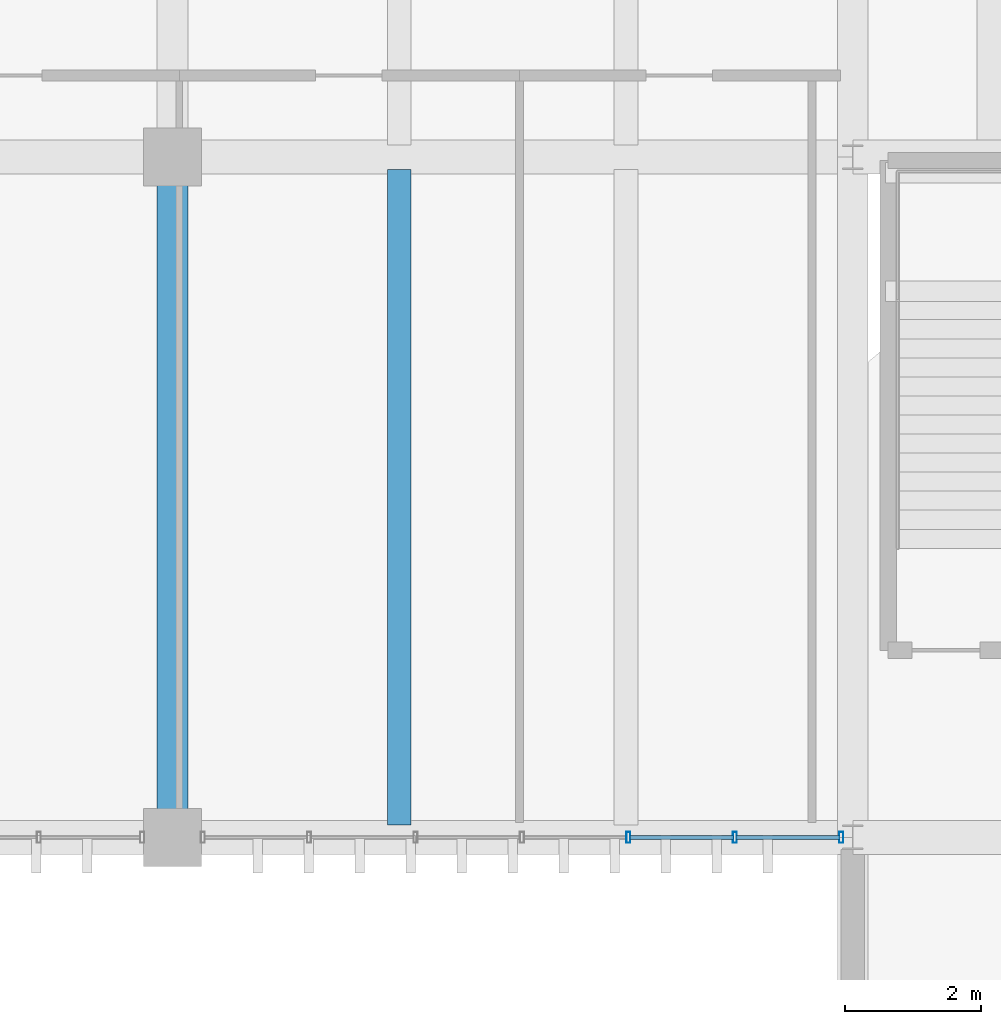
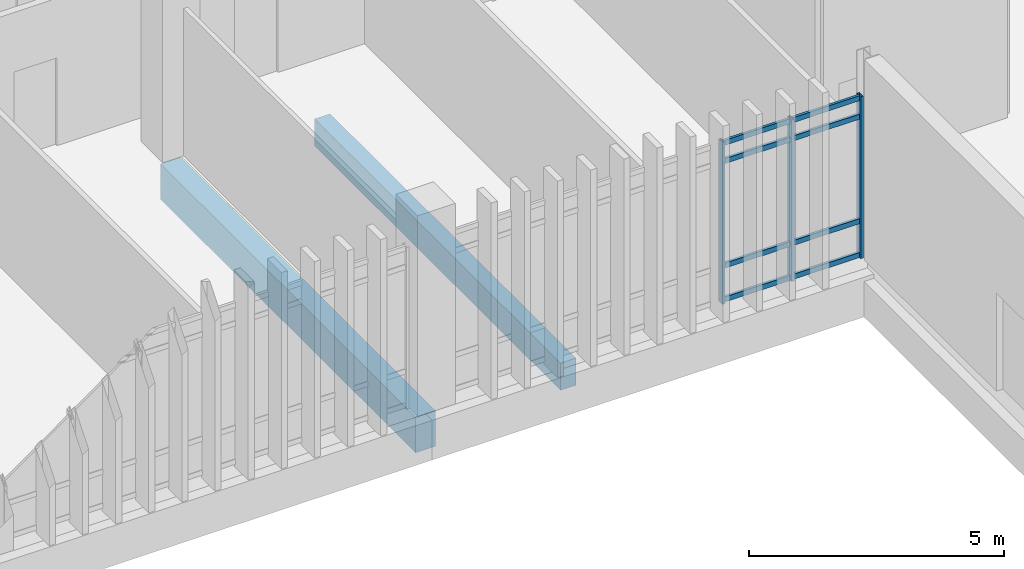
# One storey, part 47 of 87: 11 members, 2 beams, 1 element without a shape of its own.
"""IFC4 building model written with IfcOpenShell, lengths in metres."""

from ifc_helpers import new_model, si_unit, direction, frame, origin, origin_2d, place, context, subcontext, project, spatial, rectangle, hollow_rectangle, extrude, material, layer, layer_set, material_profile, profile_set, type_object, element, aggregate, save


model = new_model("IFC4")

# Units and contexts
model_context = context("Model", 3, precision=1e-05, world=origin(), true_north=direction((0.0, 1.0)))
body_context = subcontext(model_context, "Body", "Model", "MODEL_VIEW")
ifc_project = project(units=[si_unit("LENGTHUNIT", "METRE"), si_unit("AREAUNIT", "SQUARE_METRE"), si_unit("VOLUMEUNIT", "CUBIC_METRE"), si_unit("PLANEANGLEUNIT", "RADIAN"), si_unit("MASSUNIT", "GRAM", prefix="KILO")], contexts=[model_context])

# Site, building, storey
site_placement = place(None, origin())
site = spatial("IfcSite", under=ifc_project, at=site_placement, CompositionType="ELEMENT")
building_placement = place(site_placement, origin())
building = spatial("IfcBuilding", under=site, at=building_placement, Name="Mersad Railyard Sports Hall", CompositionType="ELEMENT")
storey_placement = place(building_placement, origin())
storey = spatial("IfcBuildingStorey", under=building, at=storey_placement, Name="L00", CompositionType="ELEMENT", Elevation=0.0)

# Curtain wall, members
ifc_material_1 = material(Name="Aluminium 6063-T6", Category="aluminium")
ifc_layer = layer(ifc_material_1, 0.159912109375)
ifc_layer_set = layer_set([ifc_layer], Name="Aluminium 6063-T6")
curtain_wall_type = type_object("IfcCurtainWallType", Name="ARC-CW-CW33", PredefinedType="USERDEFINED", material=ifc_layer_set)
curtain_wall_placement = place(storey_placement, origin())
curtain_wall = element("IfcCurtainWall", 1, at=curtain_wall_placement, inside=storey, type_object=curtain_wall_type, Name="Curtain wall CW33-0094", ObjectType="CURTAIN WALL", PredefinedType="USERDEFINED")
ifc_material_profile_1 = material_profile(ifc_material_1, hollow_rectangle(XDim=0.06005859375, YDim=0.159912109375, WallThickness=0.00390625, at=origin_2d()), Name="AL MULLION 60x160x4")
ifc_profile_set_1 = profile_set([ifc_material_profile_1], Name="Aluminium 6063-T6")
member_type_1 = type_object("IfcMemberType", Name="ARC-CW-MUL01", PredefinedType="MULLION", material=ifc_profile_set_1)
member_1_placement = place(storey_placement, frame((130.830078125, 85.0, -0.02001953125), z_axis=(0.0, 0.0, 1.0), x_axis=(1.0, 0.0, 0.0)))
member_1 = element("IfcMember", 2, at=member_1_placement, type_object=member_type_1, Name="CW33 Mullion 1", PredefinedType="MULLION", context=body_context, shape_type="SweptSolid", body=[
    extrude(hollow_rectangle(XDim=0.06005859375, YDim=0.159912109375, WallThickness=0.00390625, at=origin_2d()), origin(), (0.0, 0.0, 1.0), 3.8701171875),
])
member_2_placement = place(storey_placement, frame((129.265869140625, 85.0, -0.02001953125), z_axis=(0.0, 0.0, 1.0), x_axis=(1.0, 0.0, 0.0)))
member_2 = element("IfcMember", 3, at=member_2_placement, type_object=member_type_1, Name="CW33 Mullion 2", PredefinedType="MULLION", context=body_context, shape_type="SweptSolid", body=[
    extrude(hollow_rectangle(XDim=0.06005859375, YDim=0.159912109375, WallThickness=0.00390625, at=origin_2d()), origin(), (0.0, 0.0, 1.0), 3.8701171875),
])
member_3_placement = place(storey_placement, frame((127.70166015625, 85.0, -0.02001953125), z_axis=(0.0, 0.0, 1.0), x_axis=(1.0, 0.0, 0.0)))
member_3 = element("IfcMember", 4, at=member_3_placement, type_object=member_type_1, Name="CW33 Mullion 3", PredefinedType="MULLION", context=body_context, shape_type="SweptSolid", body=[
    extrude(hollow_rectangle(XDim=0.06005859375, YDim=0.159912109375, WallThickness=0.00390625, at=origin_2d()), origin(), (0.0, 0.0, 1.0), 3.8701171875),
])
ifc_material_profile_2 = material_profile(ifc_material_1, hollow_rectangle(XDim=0.06005859375, YDim=0.1201171875, WallThickness=0.00390625, at=origin_2d()), Name="AL TRANSOM 60x120x4")
ifc_profile_set_2 = profile_set([ifc_material_profile_2], Name="Aluminium 6063-T6")
member_type_2 = type_object("IfcMemberType", Name="ARC-CW-TRN01", PredefinedType="USERDEFINED", material=ifc_profile_set_2)
member_4_placement = place(storey_placement, frame((130.81005859375, 85.0, 0.0400390625), z_axis=(-1.0, 0.0, 0.0), x_axis=(0.0, -1.0, 0.0)))
member_4 = element("IfcMember", 5, at=member_4_placement, type_object=member_type_2, Name="CW33 Transom 1-1", ObjectType="TRANSOM", PredefinedType="USERDEFINED", context=body_context, shape_type="SweptSolid", body=[
    extrude(hollow_rectangle(XDim=0.06005859375, YDim=0.1201171875, WallThickness=0.00390625, at=origin_2d()), origin(), (0.0, 0.0, 1.0), 1.524169921875),
])
member_5_placement = place(storey_placement, frame((129.245849609375, 85.0, 0.0400390625), z_axis=(-1.0, 0.0, 0.0), x_axis=(0.0, -1.0, 0.0)))
member_5 = element("IfcMember", 6, at=member_5_placement, type_object=member_type_2, Name="CW33 Transom 1-2", ObjectType="TRANSOM", PredefinedType="USERDEFINED", context=body_context, shape_type="SweptSolid", body=[
    extrude(hollow_rectangle(XDim=0.06005859375, YDim=0.1201171875, WallThickness=0.00390625, at=origin_2d()), origin(), (0.0, 0.0, 1.0), 1.524169921875),
])
member_6_placement = place(storey_placement, frame((130.81005859375, 85.0, 0.85009765625), z_axis=(-1.0, 0.0, 0.0), x_axis=(0.0, -1.0, 0.0)))
member_6 = element("IfcMember", 7, at=member_6_placement, type_object=member_type_2, Name="CW33 Transom 2-1", ObjectType="TRANSOM", PredefinedType="USERDEFINED", context=body_context, shape_type="SweptSolid", body=[
    extrude(hollow_rectangle(XDim=0.06005859375, YDim=0.1201171875, WallThickness=0.00390625, at=origin_2d()), origin(), (0.0, 0.0, 1.0), 1.524169921875),
])
member_7_placement = place(storey_placement, frame((129.245849609375, 85.0, 0.85009765625), z_axis=(-1.0, 0.0, 0.0), x_axis=(0.0, -1.0, 0.0)))
member_7 = element("IfcMember", 8, at=member_7_placement, type_object=member_type_2, Name="CW33 Transom 2-2", ObjectType="TRANSOM", PredefinedType="USERDEFINED", context=body_context, shape_type="SweptSolid", body=[
    extrude(hollow_rectangle(XDim=0.06005859375, YDim=0.1201171875, WallThickness=0.00390625, at=origin_2d()), origin(), (0.0, 0.0, 1.0), 1.524169921875),
])
member_8_placement = place(storey_placement, frame((130.81005859375, 85.0, 3.35009765625), z_axis=(-1.0, 0.0, 0.0), x_axis=(0.0, -1.0, 0.0)))
member_8 = element("IfcMember", 9, at=member_8_placement, type_object=member_type_2, Name="CW33 Transom 3-1", ObjectType="TRANSOM", PredefinedType="USERDEFINED", context=body_context, shape_type="SweptSolid", body=[
    extrude(hollow_rectangle(XDim=0.06005859375, YDim=0.1201171875, WallThickness=0.00390625, at=origin_2d()), origin(), (0.0, 0.0, 1.0), 1.524169921875),
])
member_9_placement = place(storey_placement, frame((129.245849609375, 85.0, 3.35009765625), z_axis=(-1.0, 0.0, 0.0), x_axis=(0.0, -1.0, 0.0)))
member_9 = element("IfcMember", 10, at=member_9_placement, type_object=member_type_2, Name="CW33 Transom 3-2", ObjectType="TRANSOM", PredefinedType="USERDEFINED", context=body_context, shape_type="SweptSolid", body=[
    extrude(hollow_rectangle(XDim=0.06005859375, YDim=0.1201171875, WallThickness=0.00390625, at=origin_2d()), origin(), (0.0, 0.0, 1.0), 1.524169921875),
])
member_10_placement = place(storey_placement, frame((130.81005859375, 85.0, 3.7900390625), z_axis=(-1.0, 0.0, 0.0), x_axis=(0.0, -1.0, 0.0)))
member_10 = element("IfcMember", 11, at=member_10_placement, type_object=member_type_2, Name="CW33 Transom 4-1", ObjectType="TRANSOM", PredefinedType="USERDEFINED", context=body_context, shape_type="SweptSolid", body=[
    extrude(hollow_rectangle(XDim=0.06005859375, YDim=0.1201171875, WallThickness=0.00390625, at=origin_2d()), origin(), (0.0, 0.0, 1.0), 1.524169921875),
])
member_11_placement = place(storey_placement, frame((129.245849609375, 85.0, 3.7900390625), z_axis=(-1.0, 0.0, 0.0), x_axis=(0.0, -1.0, 0.0)))
member_11 = element("IfcMember", 12, at=member_11_placement, type_object=member_type_2, Name="CW33 Transom 4-2", ObjectType="TRANSOM", PredefinedType="USERDEFINED", context=body_context, shape_type="SweptSolid", body=[
    extrude(hollow_rectangle(XDim=0.06005859375, YDim=0.1201171875, WallThickness=0.00390625, at=origin_2d()), origin(), (0.0, 0.0, 1.0), 1.524169921875),
])
aggregate(curtain_wall, [member_1, member_2, member_3, member_4, member_5, member_6, member_7, member_8, member_9, member_10, member_11])

# Beams
ifc_material_2 = material(Name="Concrete C40/50", Category="concrete")
ifc_material_profile_3 = material_profile(ifc_material_2, rectangle(XDim=0.449951171875, YDim=0.85009765625, at=origin_2d()), Name="RC 450x850")
ifc_profile_set_3 = profile_set([ifc_material_profile_3], Name="Concrete C40/50")
beam_type_1 = type_object("IfcBeamType", Name="STR-BM-B02", PredefinedType="BEAM", material=ifc_profile_set_3)
beam_1_placement = place(storey_placement, frame((121.0, 85.0, -0.77490234375), z_axis=(0.0, 1.0, 0.0), x_axis=(-1.0, 0.0, 0.0)))
element("IfcBeam", 13, at=beam_1_placement, inside=storey, type_object=beam_type_1, Name="Beam B02-0195", PredefinedType="BEAM", context=body_context, shape_type="SweptSolid", body=[
    extrude(rectangle(XDim=0.449951171875, YDim=0.85009765625, at=origin_2d()), origin(), (0.0, 0.0, 1.0), 10.0),
])
ifc_material_profile_4 = material_profile(ifc_material_2, rectangle(XDim=0.35009765625, YDim=0.64990234375, at=origin_2d()), Name="RC 350x650")
ifc_profile_set_4 = profile_set([ifc_material_profile_4], Name="Concrete C40/50")
beam_type_2 = type_object("IfcBeamType", Name="STR-BM-J01", PredefinedType="JOIST", material=ifc_profile_set_4)
beam_2_placement = place(storey_placement, frame((124.3330078125, 85.179931640625, -0.675048828125), z_axis=(0.0, 1.0, 0.0), x_axis=(-1.0, 0.0, 0.0)))
element("IfcBeam", 14, at=beam_2_placement, inside=storey, type_object=beam_type_2, Name="Beam J01-0260", PredefinedType="JOIST", context=body_context, shape_type="SweptSolid", body=[
    extrude(rectangle(XDim=0.35009765625, YDim=0.64990234375, at=origin_2d()), origin(), (0.0, 0.0, 1.0), 9.64013671875),
])

save(model, "model.ifc")
